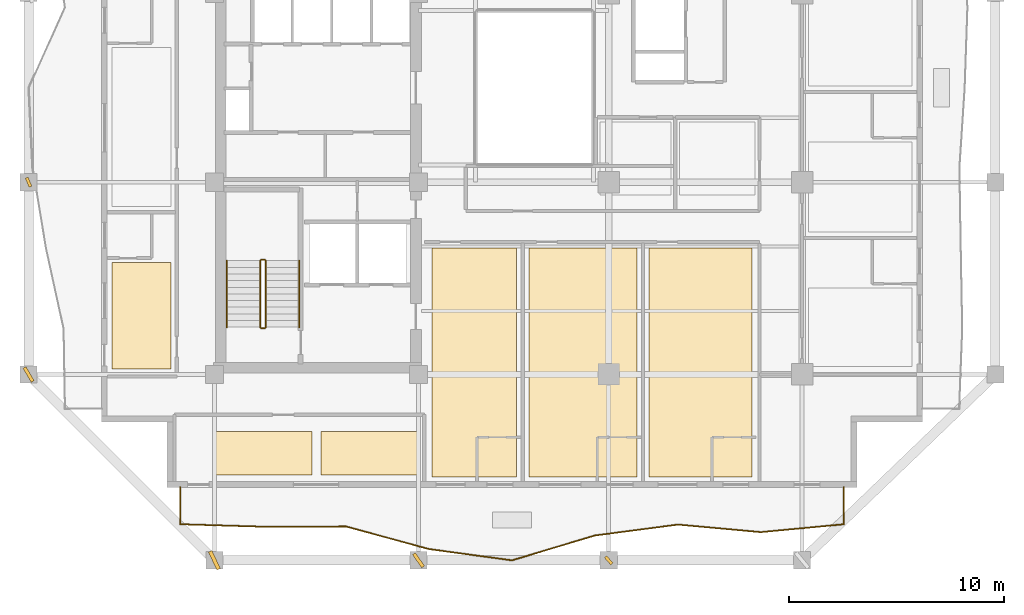
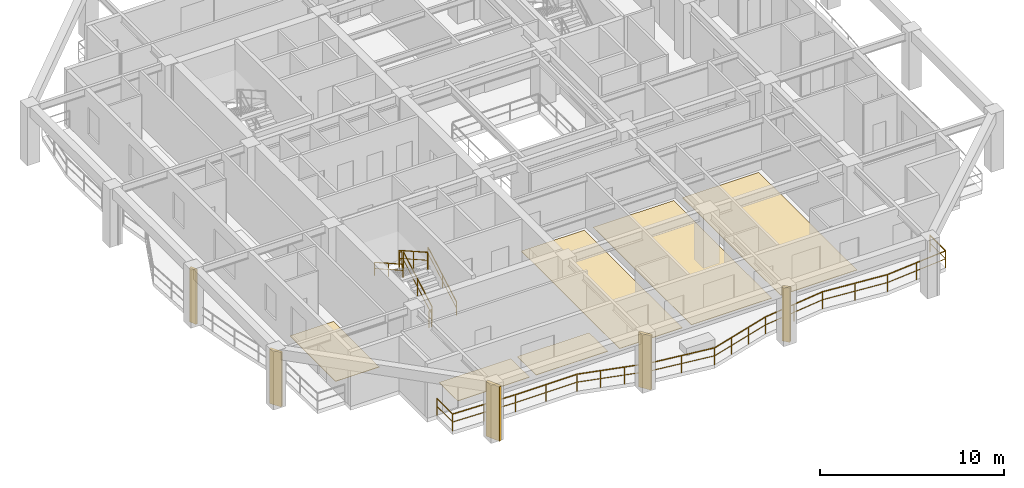
# One storey, part 8 of 11: 7 railings, 6 coverings, 5 shading devices.
"""IFC4 building model written with IfcOpenShell, lengths in metres."""

from ifc_helpers import new_model, si_unit, direction, frame, origin, origin_2d, place, context, subcontext, project, spatial, polyline, rectangle, outline, extrude, material, layer, layer_set, type_object, element, save


model = new_model("IFC4")

# Units and contexts
model_context = context("Model", 3, precision=1e-05, world=origin(), true_north=direction((0.0, 1.0)))
body_context = subcontext(model_context, "Body", "Model", "MODEL_VIEW")
ifc_project = project(units=[si_unit("LENGTHUNIT", "METRE"), si_unit("AREAUNIT", "SQUARE_METRE"), si_unit("VOLUMEUNIT", "CUBIC_METRE"), si_unit("PLANEANGLEUNIT", "RADIAN"), si_unit("MASSUNIT", "GRAM", prefix="KILO")], contexts=[model_context])

# Site, building, storey
site_placement = place(None, origin())
site = spatial("IfcSite", under=ifc_project, at=site_placement, CompositionType="ELEMENT")
building_placement = place(site_placement, origin())
building = spatial("IfcBuilding", under=site, at=building_placement, Name="Kundavana Baori Tower", CompositionType="ELEMENT")
storey_placement = place(building_placement, frame((0.0, 0.0, 130.949951171875)))
storey = spatial("IfcBuildingStorey", under=building, at=storey_placement, Name="L31", CompositionType="ELEMENT", Elevation=130.949951171875)

# Coverings
ifc_material_1 = material(Name="Honed Kota Stone and Terrazzo Flooring", Category="masonry")
ifc_layer = layer(ifc_material_1, 0.030029296875, Name="COV-INT-FLR")
ifc_layer_set = layer_set([ifc_layer], Name="Honed Kota Stone and Terrazzo Flooring")
covering_type = type_object("IfcCoveringType", Name="COV-INT-FLR", PredefinedType="FLOORING", material=ifc_layer_set)
covering_1_placement = place(storey_placement, origin())
element("IfcCovering", 1, at=covering_1_placement, inside=storey, type_object=covering_type, Name="L31 Room Finished Stone Flooring 1", PredefinedType="FLOORING", context=body_context, shape_type="SweptSolid", body=[
    extrude(outline(polyline([(10.679931640625, 15.5), (13.419921875, 15.5), (13.419921875, 20.469970703125), (10.679931640625, 20.469970703125), (10.679931640625, 15.5)])), origin(), (0.0, 0.0, 1.0), 0.030029296875),
])
covering_2_placement = place(storey_placement, origin())
element("IfcCovering", 2, at=covering_2_placement, inside=storey, type_object=covering_type, Name="L31 Room Finished Stone Flooring 4", PredefinedType="FLOORING", context=body_context, shape_type="SweptSolid", body=[
    extrude(outline(polyline([(25.580078125, 10.47998046875), (29.52001953125, 10.47998046875), (29.52001953125, 21.139892578125), (25.580078125, 21.139892578125), (25.580078125, 10.47998046875)])), origin(), (0.0, 0.0, 1.0), 0.030029296875),
])
covering_3_placement = place(storey_placement, origin())
element("IfcCovering", 3, at=covering_3_placement, inside=storey, type_object=covering_type, Name="L31 Room Finished Stone Flooring 5", PredefinedType="FLOORING", context=body_context, shape_type="SweptSolid", body=[
    extrude(outline(polyline([(30.080078125, 10.47998046875), (35.1201171875, 10.47998046875), (35.1201171875, 21.139892578125), (30.080078125, 21.139892578125), (30.080078125, 10.47998046875)])), origin(), (0.0, 0.0, 1.0), 0.030029296875),
])
covering_4_placement = place(storey_placement, origin())
element("IfcCovering", 4, at=covering_4_placement, inside=storey, type_object=covering_type, Name="L31 Room Finished Stone Flooring 6", PredefinedType="FLOORING", context=body_context, shape_type="SweptSolid", body=[
    extrude(outline(polyline([(35.679931640625, 10.47998046875), (40.4599609375, 10.47998046875), (40.4599609375, 21.139892578125), (35.679931640625, 21.139892578125), (35.679931640625, 10.47998046875)])), origin(), (0.0, 0.0, 1.0), 0.030029296875),
])
covering_5_placement = place(storey_placement, origin())
element("IfcCovering", 5, at=covering_5_placement, inside=storey, type_object=covering_type, Name="L31 Room Finished Stone Flooring 13", PredefinedType="FLOORING", context=body_context, shape_type="SweptSolid", body=[
    extrude(outline(polyline([(15.5, 10.580078125), (20.0, 10.580078125), (20.0, 12.60009765625), (15.5, 12.60009765625), (15.5, 10.580078125)])), origin(), (0.0, 0.0, 1.0), 0.030029296875),
])
covering_6_placement = place(storey_placement, origin())
element("IfcCovering", 6, at=covering_6_placement, inside=storey, type_object=covering_type, Name="L31 Room Finished Stone Flooring 14", PredefinedType="FLOORING", context=body_context, shape_type="SweptSolid", body=[
    extrude(outline(polyline([(20.39990234375, 10.580078125), (24.89990234375, 10.580078125), (24.89990234375, 12.60009765625), (20.39990234375, 12.60009765625), (20.39990234375, 10.580078125)])), origin(), (0.0, 0.0, 1.0), 0.030029296875),
])

# Railings
ifc_material_2 = material(Name="Architectural Patinated Bronze Metalwork")
railing_type_1 = type_object("IfcRailingType", Name="RL-BAL-1150", PredefinedType="BALUSTRADE", material=ifc_material_2)
railing_1_placement = place(storey_placement, frame((44.75, 10.0, 0.0)))
element("IfcRailing", 7, at=railing_1_placement, inside=storey, type_object=railing_type_1, Name="L31 Loggia Balcony Balustrade S", PredefinedType="BALUSTRADE", context=body_context, shape_type="SweptSolid", body=[
    extrude(rectangle(XDim=0.048095703125, YDim=0.048095703125, at=origin_2d()), frame((0.0, 0.0, 1.1259765625), z_axis=(0.0, -1.0, 0.0), x_axis=(1.0, 0.0, 0.0)), (0.0, 0.0, 1.0), 1.719970703125),
    extrude(rectangle(XDim=0.03125, YDim=0.03125, at=origin_2d()), frame((0.0, 0.0, 0.597900390625), z_axis=(0.0, -1.0, 0.0), x_axis=(1.0, 0.0, 0.0)), (0.0, 0.0, 1.0), 1.719970703125),
    extrude(rectangle(XDim=0.048095703125, YDim=0.048095703125, at=origin_2d()), frame((0.0, -1.719970703125, 1.1259765625), z_axis=(-0.995465451024, -0.095123792072, 0.0), x_axis=(0.095123792072, -0.995465451024, 0.0)), (0.0, 0.0, 1.0), 3.880615234375),
    extrude(rectangle(XDim=0.03125, YDim=0.03125, at=origin_2d()), frame((0.0, -1.719970703125, 0.597900390625), z_axis=(-0.995465451024, -0.095123792072, 0.0), x_axis=(0.095123792072, -0.995465451024, 0.0)), (0.0, 0.0, 1.0), 3.880615234375),
    extrude(rectangle(XDim=0.048095703125, YDim=0.048095703125, at=origin_2d()), frame((-3.863037109375, -2.089111328125, 1.1259765625), z_axis=(-0.995870987816, 0.090779819485, 0.0), x_axis=(-0.090779819485, -0.995870987816, 0.0)), (0.0, 0.0, 1.0), 3.878173828125),
    extrude(rectangle(XDim=0.03125, YDim=0.03125, at=origin_2d()), frame((-3.863037109375, -2.089111328125, 0.597900390625), z_axis=(-0.995870987816, 0.090779819485, 0.0), x_axis=(-0.090779819485, -0.995870987816, 0.0)), (0.0, 0.0, 1.0), 3.878173828125),
    extrude(rectangle(XDim=0.048095703125, YDim=0.048095703125, at=origin_2d()), frame((-7.72509765625, -1.737060546875, 1.1259765625), z_axis=(-0.991497337699, -0.130126973895, 0.0), x_axis=(0.130126973895, -0.991497337699, 0.0)), (0.0, 0.0, 1.0), 3.89501953125),
    extrude(rectangle(XDim=0.03125, YDim=0.03125, at=origin_2d()), frame((-7.72509765625, -1.737060546875, 0.597900390625), z_axis=(-0.991497337699, -0.130126973895, 0.0), x_axis=(0.130126973895, -0.991497337699, 0.0)), (0.0, 0.0, 1.0), 3.89501953125),
    extrude(rectangle(XDim=0.048095703125, YDim=0.048095703125, at=origin_2d()), frame((-11.5869140625, -2.243896484375, 1.1259765625), z_axis=(-0.958024360207, -0.2866868069, 0.0), x_axis=(0.2866868069, -0.958024360207, 0.0)), (0.0, 0.0, 1.0), 4.0322265625),
    extrude(rectangle(XDim=0.03125, YDim=0.03125, at=origin_2d()), frame((-11.5869140625, -2.243896484375, 0.597900390625), z_axis=(-0.958024360207, -0.2866868069, 0.0), x_axis=(0.2866868069, -0.958024360207, 0.0)), (0.0, 0.0, 1.0), 4.0322265625),
    extrude(rectangle(XDim=0.048095703125, YDim=0.048095703125, at=origin_2d()), frame((-15.449951171875, -3.39990234375, 1.1259765625), z_axis=(-0.990956669509, 0.134182260958, 0.0), x_axis=(-0.134182260958, -0.990956669509, 0.0)), (0.0, 0.0, 1.0), 3.897216796875),
    extrude(rectangle(XDim=0.03125, YDim=0.03125, at=origin_2d()), frame((-15.449951171875, -3.39990234375, 0.597900390625), z_axis=(-0.990956669509, 0.134182260958, 0.0), x_axis=(-0.134182260958, -0.990956669509, 0.0)), (0.0, 0.0, 1.0), 3.897216796875),
    extrude(rectangle(XDim=0.048095703125, YDim=0.048095703125, at=origin_2d()), frame((-19.31201171875, -2.876953125, 1.1259765625), z_axis=(-0.964862257305, 0.262756207213, 0.0), x_axis=(-0.262756207213, -0.964862257305, 0.0)), (0.0, 0.0, 1.0), 4.003662109375),
    extrude(rectangle(XDim=0.03125, YDim=0.03125, at=origin_2d()), frame((-19.31201171875, -2.876953125, 0.597900390625), z_axis=(-0.964862257305, 0.262756207213, 0.0), x_axis=(-0.262756207213, -0.964862257305, 0.0)), (0.0, 0.0, 1.0), 4.003662109375),
    extrude(rectangle(XDim=0.048095703125, YDim=0.048095703125, at=origin_2d()), frame((-23.175048828125, -1.824951171875, 1.1259765625), z_axis=(-0.999995955967, -0.002843949821, 0.0), x_axis=(0.002843949821, -0.999995955967, 0.0)), (0.0, 0.0, 1.0), 3.863037109375),
    extrude(rectangle(XDim=0.03125, YDim=0.03125, at=origin_2d()), frame((-23.175048828125, -1.824951171875, 0.597900390625), z_axis=(-0.999995955967, -0.002843949821, 0.0), x_axis=(0.002843949821, -0.999995955967, 0.0)), (0.0, 0.0, 1.0), 3.863037109375),
    extrude(rectangle(XDim=0.048095703125, YDim=0.048095703125, at=origin_2d()), frame((-27.0380859375, -1.8359375, 1.1259765625), z_axis=(-0.999549431854, 0.030015550647, 0.0), x_axis=(-0.030015550647, -0.999549431854, 0.0)), (0.0, 0.0, 1.0), 3.863525390625),
    extrude(rectangle(XDim=0.03125, YDim=0.03125, at=origin_2d()), frame((-27.0380859375, -1.8359375, 0.597900390625), z_axis=(-0.999549431854, 0.030015550647, 0.0), x_axis=(-0.030015550647, -0.999549431854, 0.0)), (0.0, 0.0, 1.0), 3.863525390625),
    extrude(rectangle(XDim=0.048095703125, YDim=0.048095703125, at=origin_2d()), frame((-30.89990234375, -1.719970703125, 1.1259765625), z_axis=(0.0, 1.0, 0.0), x_axis=(-1.0, 0.0, 0.0)), (0.0, 0.0, 1.0), 1.719970703125),
    extrude(rectangle(XDim=0.03125, YDim=0.03125, at=origin_2d()), frame((-30.89990234375, -1.719970703125, 0.597900390625), z_axis=(0.0, 1.0, 0.0), x_axis=(-1.0, 0.0, 0.0)), (0.0, 0.0, 1.0), 1.719970703125),
    extrude(rectangle(XDim=0.0419921875, YDim=0.0419921875, at=origin_2d()), origin(), (0.0, 0.0, 1.0), 1.101806640625),
    extrude(rectangle(XDim=0.0419921875, YDim=0.0419921875, at=origin_2d()), frame((0.0, -1.719970703125, 0.0)), (0.0, 0.0, 1.0), 1.101806640625),
    extrude(rectangle(XDim=0.0419921875, YDim=0.0419921875, at=origin_2d()), frame((-1.931640625, -1.904541015625, 0.0)), (0.0, 0.0, 1.0), 1.101806640625),
    extrude(rectangle(XDim=0.0419921875, YDim=0.0419921875, at=origin_2d()), frame((-3.863037109375, -2.089111328125, 0.0)), (0.0, 0.0, 1.0), 1.101806640625),
    extrude(rectangle(XDim=0.0419921875, YDim=0.0419921875, at=origin_2d()), frame((-5.7939453125, -1.9130859375, 0.0)), (0.0, 0.0, 1.0), 1.101806640625),
    extrude(rectangle(XDim=0.0419921875, YDim=0.0419921875, at=origin_2d()), frame((-7.72509765625, -1.737060546875, 0.0)), (0.0, 0.0, 1.0), 1.101806640625),
    extrude(rectangle(XDim=0.0419921875, YDim=0.0419921875, at=origin_2d()), frame((-9.656005859375, -1.990478515625, 0.0)), (0.0, 0.0, 1.0), 1.101806640625),
    extrude(rectangle(XDim=0.0419921875, YDim=0.0419921875, at=origin_2d()), frame((-11.5869140625, -2.243896484375, 0.0)), (0.0, 0.0, 1.0), 1.101806640625),
    extrude(rectangle(XDim=0.0419921875, YDim=0.0419921875, at=origin_2d()), frame((-12.87451171875, -2.629150390625, 0.0)), (0.0, 0.0, 1.0), 1.101806640625),
    extrude(rectangle(XDim=0.0419921875, YDim=0.0419921875, at=origin_2d()), frame((-14.162353515625, -3.0146484375, 0.0)), (0.0, 0.0, 1.0), 1.101806640625),
    extrude(rectangle(XDim=0.0419921875, YDim=0.0419921875, at=origin_2d()), frame((-15.449951171875, -3.39990234375, 0.0)), (0.0, 0.0, 1.0), 1.101806640625),
    extrude(rectangle(XDim=0.0419921875, YDim=0.0419921875, at=origin_2d()), frame((-17.380859375, -3.138427734375, 0.0)), (0.0, 0.0, 1.0), 1.101806640625),
    extrude(rectangle(XDim=0.0419921875, YDim=0.0419921875, at=origin_2d()), frame((-19.31201171875, -2.876953125, 0.0)), (0.0, 0.0, 1.0), 1.101806640625),
    extrude(rectangle(XDim=0.0419921875, YDim=0.0419921875, at=origin_2d()), frame((-20.599609375, -2.5263671875, 0.0)), (0.0, 0.0, 1.0), 1.101806640625),
    extrude(rectangle(XDim=0.0419921875, YDim=0.0419921875, at=origin_2d()), frame((-21.887451171875, -2.175537109375, 0.0)), (0.0, 0.0, 1.0), 1.101806640625),
    extrude(rectangle(XDim=0.0419921875, YDim=0.0419921875, at=origin_2d()), frame((-23.175048828125, -1.824951171875, 0.0)), (0.0, 0.0, 1.0), 1.101806640625),
    extrude(rectangle(XDim=0.0419921875, YDim=0.0419921875, at=origin_2d()), frame((-25.1064453125, -1.83056640625, 0.0)), (0.0, 0.0, 1.0), 1.101806640625),
    extrude(rectangle(XDim=0.0419921875, YDim=0.0419921875, at=origin_2d()), frame((-27.0380859375, -1.8359375, 0.0)), (0.0, 0.0, 1.0), 1.101806640625),
    extrude(rectangle(XDim=0.0419921875, YDim=0.0419921875, at=origin_2d()), frame((-28.968994140625, -1.77783203125, 0.0)), (0.0, 0.0, 1.0), 1.101806640625),
    extrude(rectangle(XDim=0.0419921875, YDim=0.0419921875, at=origin_2d()), frame((-30.89990234375, -1.719970703125, 0.0)), (0.0, 0.0, 1.0), 1.101806640625),
    extrude(rectangle(XDim=0.0419921875, YDim=0.0419921875, at=origin_2d()), frame((-30.89990234375, 0.0, 0.0)), (0.0, 0.0, 1.0), 1.101806640625),
])
ifc_material_3 = material(Name="Architectural Patinated Bronze Metalwork")
railing_type_2 = type_object("IfcRailingType", Name="RL-GRD-1150", PredefinedType="GUARDRAIL", material=ifc_material_3)
railing_2_placement = place(storey_placement, frame((17.840087890625, 17.449951171875, 0.175048828125)))
element("IfcRailing", 8, at=railing_2_placement, inside=storey, type_object=railing_type_2, Name="L31 ST1 stair guard 1", PredefinedType="GUARDRAIL", context=body_context, shape_type="SweptSolid", body=[
    extrude(rectangle(XDim=0.048095703125, YDim=0.048095703125, at=origin_2d()), frame((0.0, 0.0, 1.1259765625), z_axis=(0.0, 0.870830938388, 0.491582624537), x_axis=(-1.0, 0.0, 0.0)), (0.0, 0.0, 1.0), 3.559814453125),
    extrude(rectangle(XDim=0.03125, YDim=0.03125, at=origin_2d()), frame((0.0, 0.0, 0.597900390625), z_axis=(0.0, 0.870830938388, 0.491582624537), x_axis=(-1.0, 0.0, 0.0)), (0.0, 0.0, 1.0), 3.559814453125),
    extrude(rectangle(XDim=0.0419921875, YDim=0.0419921875, at=origin_2d()), origin(), (0.0, 0.0, 1.0), 1.101806640625),
    extrude(rectangle(XDim=0.0419921875, YDim=0.0419921875, at=origin_2d()), frame((0.0, 1.550048828125, 0.875)), (0.0, 0.0, 1.0), 1.101806640625),
    extrude(rectangle(XDim=0.0419921875, YDim=0.0419921875, at=origin_2d()), frame((0.0, 3.10009765625, 1.75)), (0.0, 0.0, 1.0), 1.101806640625),
])
railing_3_placement = place(storey_placement, frame((17.7900390625, 20.60009765625, 1.925048828125)))
element("IfcRailing", 9, at=railing_3_placement, inside=storey, type_object=railing_type_2, Name="L31 ST1 stair guard 2", PredefinedType="GUARDRAIL", context=body_context, shape_type="SweptSolid", body=[
    extrude(rectangle(XDim=0.048095703125, YDim=0.048095703125, at=origin_2d()), frame((0.0, 0.0, 1.1259765625), z_axis=(-1.0, 0.0, 0.0), x_axis=(0.0, -1.0, 0.0)), (0.0, 0.0, 1.0), 0.16015625),
    extrude(rectangle(XDim=0.03125, YDim=0.03125, at=origin_2d()), frame((0.0, 0.0, 0.597900390625), z_axis=(-1.0, 0.0, 0.0), x_axis=(0.0, -1.0, 0.0)), (0.0, 0.0, 1.0), 0.16015625),
    extrude(rectangle(XDim=0.0419921875, YDim=0.0419921875, at=origin_2d()), origin(), (0.0, 0.0, 1.0), 1.101806640625),
    extrude(rectangle(XDim=0.0419921875, YDim=0.0419921875, at=origin_2d()), frame((-0.16015625, 0.0, 0.0)), (0.0, 0.0, 1.0), 1.101806640625),
])
railing_4_placement = place(storey_placement, frame((17.580078125, 20.550048828125, 2.10009765625)))
element("IfcRailing", 10, at=railing_4_placement, inside=storey, type_object=railing_type_2, Name="L31 ST1 stair guard 3", PredefinedType="GUARDRAIL", context=body_context, shape_type="SweptSolid", body=[
    extrude(rectangle(XDim=0.048095703125, YDim=0.048095703125, at=origin_2d()), frame((0.0, 0.0, 1.1259765625), z_axis=(0.0, -0.870830938388, 0.491582624537), x_axis=(1.0, 0.0, 0.0)), (0.0, 0.0, 1.0), 3.559814453125),
    extrude(rectangle(XDim=0.03125, YDim=0.03125, at=origin_2d()), frame((0.0, 0.0, 0.597900390625), z_axis=(0.0, -0.870830938388, 0.491582624537), x_axis=(1.0, 0.0, 0.0)), (0.0, 0.0, 1.0), 3.559814453125),
    extrude(rectangle(XDim=0.0419921875, YDim=0.0419921875, at=origin_2d()), origin(), (0.0, 0.0, 1.0), 1.101806640625),
    extrude(rectangle(XDim=0.0419921875, YDim=0.0419921875, at=origin_2d()), frame((0.0, -1.550048828125, 0.875)), (0.0, 0.0, 1.0), 1.101806640625),
    extrude(rectangle(XDim=0.0419921875, YDim=0.0419921875, at=origin_2d()), frame((0.0, -3.10009765625, 1.75)), (0.0, 0.0, 1.0), 1.101806640625),
])
railing_5_placement = place(storey_placement, frame((17.7900390625, 17.39990234375, 0.0)))
element("IfcRailing", 11, at=railing_5_placement, inside=storey, type_object=railing_type_2, Name="L31 ST1 stair guard 4", PredefinedType="GUARDRAIL", context=body_context, shape_type="SweptSolid", body=[
    extrude(rectangle(XDim=0.048095703125, YDim=0.048095703125, at=origin_2d()), frame((0.0, 0.0, 1.1259765625), z_axis=(-1.0, 0.0, 0.0), x_axis=(0.0, -1.0, 0.0)), (0.0, 0.0, 1.0), 0.16015625),
    extrude(rectangle(XDim=0.03125, YDim=0.03125, at=origin_2d()), frame((0.0, 0.0, 0.597900390625), z_axis=(-1.0, 0.0, 0.0), x_axis=(0.0, -1.0, 0.0)), (0.0, 0.0, 1.0), 0.16015625),
    extrude(rectangle(XDim=0.0419921875, YDim=0.0419921875, at=origin_2d()), origin(), (0.0, 0.0, 1.0), 1.101806640625),
    extrude(rectangle(XDim=0.0419921875, YDim=0.0419921875, at=origin_2d()), frame((-0.16015625, 0.0, 0.0)), (0.0, 0.0, 1.0), 1.101806640625),
])
ifc_material_4 = material(Name="Architectural Patinated Bronze Metalwork")
railing_type_3 = type_object("IfcRailingType", Name="RL-HND-920", PredefinedType="HANDRAIL", material=ifc_material_4)
railing_6_placement = place(storey_placement, frame((19.389892578125, 17.449951171875, 0.175048828125)))
element("IfcRailing", 12, at=railing_6_placement, inside=storey, type_object=railing_type_3, Name="L31 ST1 stair handrail 1", PredefinedType="HANDRAIL", context=body_context, shape_type="SweptSolid", body=[
    extrude(rectangle(XDim=0.048095703125, YDim=0.048095703125, at=origin_2d()), frame((0.0, 0.0, 0.8759765625), z_axis=(0.0, 0.870830938388, 0.491582624537), x_axis=(-1.0, 0.0, 0.0)), (0.0, 0.0, 1.0), 3.559814453125),
    extrude(rectangle(XDim=0.03125, YDim=0.03125, at=origin_2d()), frame((0.0, 0.0, 0.468017578125), z_axis=(0.0, 0.870830938388, 0.491582624537), x_axis=(-1.0, 0.0, 0.0)), (0.0, 0.0, 1.0), 3.559814453125),
    extrude(rectangle(XDim=0.0419921875, YDim=0.0419921875, at=origin_2d()), origin(), (0.0, 0.0, 1.0), 0.851806640625),
    extrude(rectangle(XDim=0.0419921875, YDim=0.0419921875, at=origin_2d()), frame((0.0, 1.550048828125, 0.875)), (0.0, 0.0, 1.0), 0.851806640625),
    extrude(rectangle(XDim=0.0419921875, YDim=0.0419921875, at=origin_2d()), frame((0.0, 3.10009765625, 1.75)), (0.0, 0.0, 1.0), 0.851806640625),
])
railing_7_placement = place(storey_placement, frame((16.030029296875, 20.550048828125, 2.10009765625)))
element("IfcRailing", 13, at=railing_7_placement, inside=storey, type_object=railing_type_3, Name="L31 ST1 stair handrail 2", PredefinedType="HANDRAIL", context=body_context, shape_type="SweptSolid", body=[
    extrude(rectangle(XDim=0.048095703125, YDim=0.048095703125, at=origin_2d()), frame((0.0, 0.0, 0.8759765625), z_axis=(0.0, -0.870830938388, 0.491582624537), x_axis=(1.0, 0.0, 0.0)), (0.0, 0.0, 1.0), 3.559814453125),
    extrude(rectangle(XDim=0.03125, YDim=0.03125, at=origin_2d()), frame((0.0, 0.0, 0.468017578125), z_axis=(0.0, -0.870830938388, 0.491582624537), x_axis=(1.0, 0.0, 0.0)), (0.0, 0.0, 1.0), 3.559814453125),
    extrude(rectangle(XDim=0.0419921875, YDim=0.0419921875, at=origin_2d()), origin(), (0.0, 0.0, 1.0), 0.851806640625),
    extrude(rectangle(XDim=0.0419921875, YDim=0.0419921875, at=origin_2d()), frame((0.0, -1.550048828125, 0.875)), (0.0, 0.0, 1.0), 0.851806640625),
    extrude(rectangle(XDim=0.0419921875, YDim=0.0419921875, at=origin_2d()), frame((0.0, -3.10009765625, 1.75)), (0.0, 0.0, 1.0), 0.851806640625),
])

# Shading devices
ifc_material_5 = material(Name="Red-Buff Dholpur Sandstone Cladding on Concrete C40/50", Category="masonry")
shading_device_type_1 = type_object("IfcShadingDeviceType", Name="SHD-FIN-750", PredefinedType="JALOUSIE", material=ifc_material_5)
for number, where, z_axis, x_axis, name in (
    (14, (24.949951171875, 6.60009765625, 0.0), (0.0, 0.0, 1.0), (0.821149209134, 0.570713567684, 0.0), "L31 Sweeping Dholpur Sandstone Facade Fin 2"),
    (15, (6.800048828125, 15.25, 0.0), (0.0, 0.0, 1.0), (0.860919663536, 0.508740929096, 0.0), "L31 Sweeping Dholpur Sandstone Facade Fin 5"),
):
    element("IfcShadingDevice", number, at=place(storey_placement, frame(where, z_axis=z_axis, x_axis=x_axis)), inside=storey, type_object=shading_device_type_1, Name=name, PredefinedType="JALOUSIE", context=body_context, shape_type="SweptSolid", body=[
        extrude(rectangle(XDim=0.159912109375, YDim=0.75, at=origin_2d()), origin(), (0.0, 0.0, 1.0), 3.60009765625),
    ])
ifc_material_6 = material(Name="Red-Buff Dholpur Sandstone Cladding on Concrete C40/50", Category="masonry")
shading_device_type_2 = type_object("IfcShadingDeviceType", Name="SHD-FIN-920", PredefinedType="JALOUSIE", material=ifc_material_6)
shading_device_placement = place(storey_placement, frame((15.449951171875, 6.60009765625, 0.0), z_axis=(0.0, 0.0, 1.0), x_axis=(0.903110579136, 0.429408059837, 0.0)))
element("IfcShadingDevice", 16, at=shading_device_placement, inside=storey, type_object=shading_device_type_2, Name="L31 Sweeping Dholpur Sandstone Facade Fin 1", PredefinedType="JALOUSIE", context=body_context, shape_type="SweptSolid", body=[
    extrude(rectangle(XDim=0.179931640625, YDim=0.919921875, at=origin_2d()), origin(), (0.0, 0.0, 1.0), 3.60009765625),
])
ifc_material_7 = material(Name="Architectural Patinated Bronze Metalwork")
shading_device_type_3 = type_object("IfcShadingDeviceType", Name="SHD-LOUV-450", PredefinedType="SHUTTER", material=ifc_material_7)
for number, where, z_axis, x_axis, name in (
    (17, (33.800048828125, 6.60009765625, 0.0), (0.0, 0.0, 1.0), (0.747913956092, 0.663795687153, 0.0), "L31 Sweeping Dholpur Sandstone Facade Fin 3"),
    (18, (6.800048828125, 24.199951171875, 0.0), (0.0, 0.0, 1.0), (0.921117476594, 0.389284721396, 0.0), "L31 Sweeping Dholpur Sandstone Facade Fin 6"),
):
    element("IfcShadingDevice", number, at=place(storey_placement, frame(where, z_axis=z_axis, x_axis=x_axis)), inside=storey, type_object=shading_device_type_3, Name=name, PredefinedType="SHUTTER", context=body_context, shape_type="SweptSolid", body=[
        extrude(rectangle(XDim=0.139892578125, YDim=0.449951171875, at=origin_2d()), origin(), (0.0, 0.0, 1.0), 3.60009765625),
    ])

save(model, "model.ifc")
